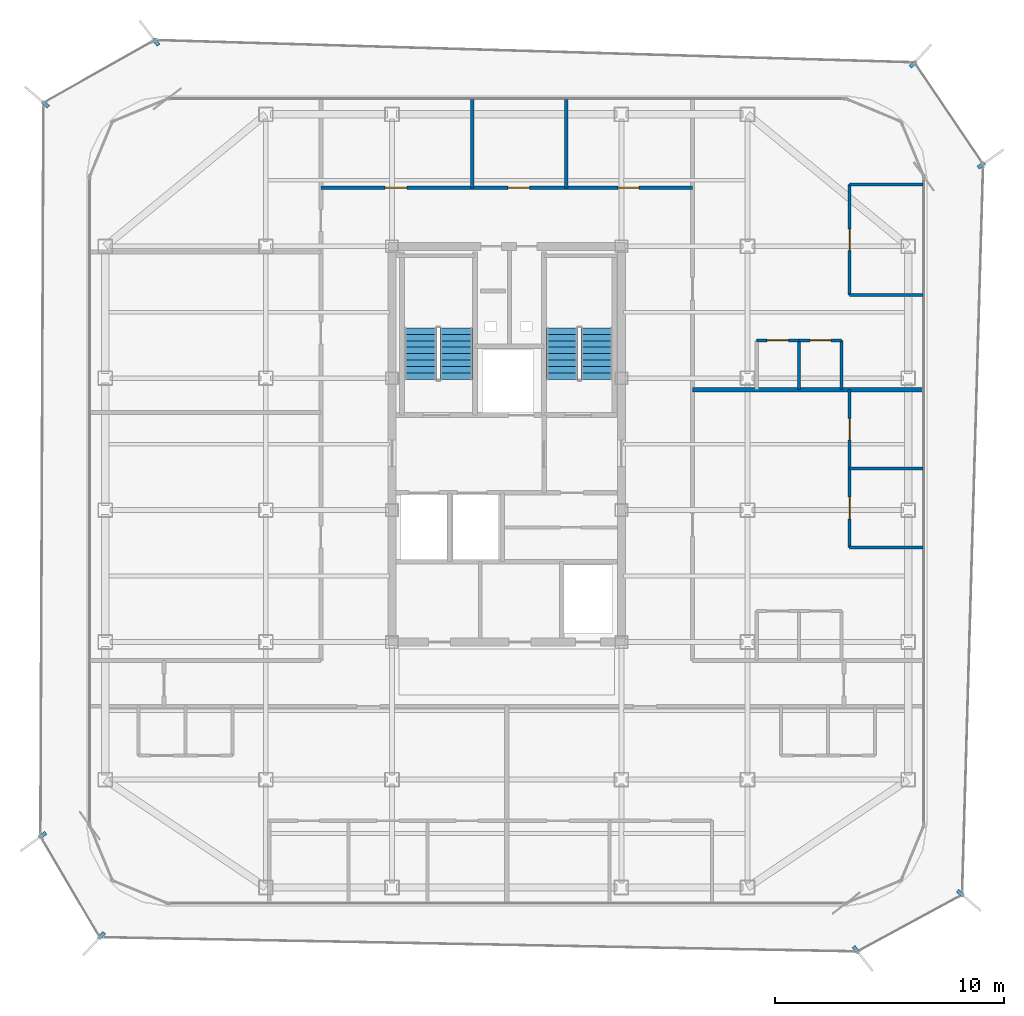
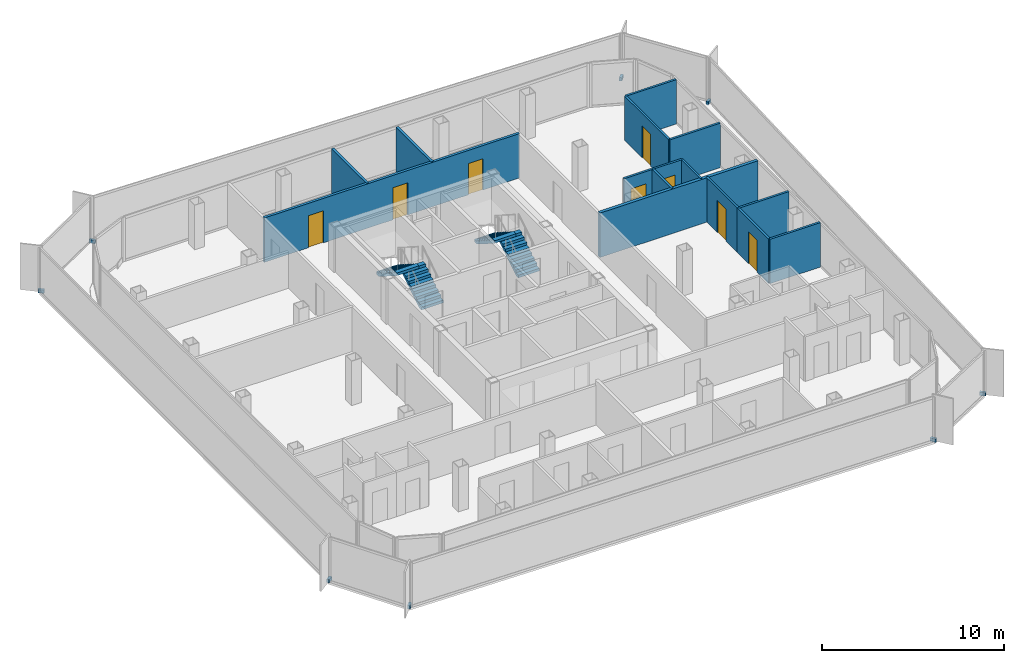
# One storey, part 12 of 15: 15 walls, 8 discrete accessories, 8 doors, 4 stair flights, 8 openings, 2 elements without a shape of their own.
"""IFC4 building model written with IfcOpenShell, lengths in metres."""

from ifc_helpers import new_model, si_unit, direction, frame, frame_2d, origin, origin_2d, place, context, subcontext, project, spatial, polyline, rectangle, outline, extrude, source, transform, mapped, material, layer, layer_set, type_object, element, fill, aggregate, save


model = new_model("IFC4")

# Units and contexts
model_context = context("Model", 3, precision=1e-05, world=origin(), true_north=direction((0.0, 1.0)))
body_context = subcontext(model_context, "Body", "Model", "MODEL_VIEW")
ifc_project = project(units=[si_unit("LENGTHUNIT", "METRE"), si_unit("AREAUNIT", "SQUARE_METRE"), si_unit("VOLUMEUNIT", "CUBIC_METRE"), si_unit("PLANEANGLEUNIT", "RADIAN"), si_unit("MASSUNIT", "GRAM", prefix="KILO")], contexts=[model_context])

# Site, building, storey
site_placement = place(None, origin())
site = spatial("IfcSite", under=ifc_project, at=site_placement, CompositionType="ELEMENT")
building_placement = place(site_placement, origin())
building = spatial("IfcBuilding", under=site, at=building_placement, Name="Kolveth Station Tower", CompositionType="ELEMENT")
storey_placement = place(building_placement, frame((0.0, 0.0, 242.5)))
storey = spatial("IfcBuildingStorey", under=building, at=storey_placement, Name="L69", CompositionType="ELEMENT", Elevation=242.5)

# Wall
ifc_material_1 = material(Name="Moisture-resistant gypsum partition")
ifc_layer_1 = layer(ifc_material_1, 0.135009765625)
ifc_layer_set_1 = layer_set([ifc_layer_1], Name="Moisture-resistant gypsum partition")
wall_type_1 = type_object("IfcWallType", Name="Wall_IW-135", PredefinedType="PARTITIONING", material=ifc_layer_set_1)
wall_1_placement = place(storey_placement, frame((38.449951171875, 15.6240234375, 0.0), z_axis=(0.0, 0.0, 1.0), x_axis=(1.0, 0.0, 0.0)))
element("IfcWall", 1, at=wall_1_placement, inside=storey, type_object=wall_type_1, Name="L69 Partition Wall WL-L69-E1-BDH0", PredefinedType="PARTITIONING", context=body_context, shape_type="SweptSolid", body=[
    extrude(rectangle(XDim=3.18994140625, YDim=0.135009765625, at=frame_2d((1.594970703125, 0.0))), origin(), (0.0, 0.0, 1.0), 2.97998046875),
])

# Wall, opening, door
wall_2_placement = place(storey_placement, frame((38.449951171875, 15.6240234375, 0.0), z_axis=(0.0, 0.0, 1.0), x_axis=(0.0, 1.0, 0.0)))
wall_2 = element("IfcWall", 2, at=wall_2_placement, inside=storey, type_object=wall_type_1, Name="L69 Partition Wall WL-L69-E1-BDV1", PredefinedType="PARTITIONING", context=body_context, shape_type="SweptSolid", body=[
    extrude(rectangle(XDim=3.43798828125, YDim=0.135009765625, at=frame_2d((1.718994140625, 0.0))), origin(), (0.0, 0.0, 1.0), 2.97998046875),
])
opening_1_placement = place(wall_2_placement, frame((1.239013671875, 0.0, 0.0)))
opening_1 = element("IfcOpeningElement", 3, at=opening_1_placement, cuts=wall_2, Name="Opening ID1", PredefinedType="OPENING", context=body_context, shape_type="SweptSolid", body=[
    extrude(rectangle(XDim=0.949951171875, YDim=2.14990234375, at=frame_2d((0.47509765625, 1.074951171875))), frame((0.0, 0.077392578125, 0.0), z_axis=(0.0, -1.0, 0.0), x_axis=(1.0, 0.0, 0.0)), (0.0, 0.0, 1.0), 0.155029296875),
])
ifc_material_2 = material(Name="Acoustic hardwood leaf and aluminium frame", Category="wood")
door_type_1 = type_object("IfcDoorType", Name="Door_ID1", OperationType="NOTDEFINED", PredefinedType="DOOR", material=ifc_material_2)
door_1_placement = place(opening_1_placement, frame((0.949951171875, 0.0, 0.0), z_axis=(0.0, 0.0, 1.0), x_axis=(-1.0, 0.0, 0.0)))
door_1 = element("IfcDoor", 4, at=door_1_placement, inside=storey, type_object=door_type_1, Name="Penthouse Flat L69-E1 Bedroom 1 Door", OperationType="SINGLE_SWING_LEFT", OverallHeight=2.14990234375, OverallWidth=0.949951171875, PredefinedType="DOOR", context=body_context, shape_type="SweptSolid", body=[
    extrude(rectangle(XDim=0.949951171875, YDim=2.14990234375, at=frame_2d((0.47509765625, 1.074951171875))), frame((0.0, 0.02490234375, 0.0), z_axis=(0.0, -1.0, 0.0), x_axis=(1.0, 0.0, 0.0)), (0.0, 0.0, 1.0), 0.050048828125),
])
fill(opening_1, door_1)

wall_3_placement = place(storey_placement, frame((38.449951171875, 19.06201171875, 0.0), z_axis=(0.0, 0.0, 1.0), x_axis=(0.0, 1.0, 0.0)))
wall_3 = element("IfcWall", 5, at=wall_3_placement, inside=storey, type_object=wall_type_1, Name="L69 Partition Wall WL-L69-E1-BDV2", PredefinedType="PARTITIONING", context=body_context, shape_type="SweptSolid", body=[
    extrude(rectangle(XDim=3.43798828125, YDim=0.135009765625, at=frame_2d((1.718994140625, 0.0))), origin(), (0.0, 0.0, 1.0), 2.97998046875),
])
opening_2_placement = place(wall_3_placement, frame((1.239013671875, 0.0, 0.0)))
opening_2 = element("IfcOpeningElement", 6, at=opening_2_placement, cuts=wall_3, Name="Opening ID1", PredefinedType="OPENING", context=body_context, shape_type="SweptSolid", body=[
    extrude(rectangle(XDim=0.949951171875, YDim=2.14990234375, at=frame_2d((0.47509765625, 1.074951171875))), frame((0.0, 0.077392578125, 0.0), z_axis=(0.0, -1.0, 0.0), x_axis=(1.0, 0.0, 0.0)), (0.0, 0.0, 1.0), 0.155029296875),
])
door_2_placement = place(opening_2_placement, frame((0.949951171875, 0.0, 0.0), z_axis=(0.0, 0.0, 1.0), x_axis=(-1.0, 0.0, 0.0)))
door_2 = element("IfcDoor", 7, at=door_2_placement, inside=storey, type_object=door_type_1, Name="Penthouse Flat L69-E1 Bedroom 2 Door", OperationType="SINGLE_SWING_RIGHT", OverallHeight=2.14990234375, OverallWidth=0.949951171875, PredefinedType="DOOR", context=body_context, shape_type="SweptSolid", body=[
    extrude(rectangle(XDim=0.949951171875, YDim=2.14990234375, at=frame_2d((0.47509765625, 1.074951171875))), frame((0.0, 0.02490234375, 0.0), z_axis=(0.0, -1.0, 0.0), x_axis=(1.0, 0.0, 0.0)), (0.0, 0.0, 1.0), 0.050048828125),
])
fill(opening_2, door_2)

# Wall
wall_4_placement = place(storey_placement, frame((38.449951171875, 19.06201171875, 0.0), z_axis=(0.0, 0.0, 1.0), x_axis=(1.0, 0.0, 0.0)))
element("IfcWall", 8, at=wall_4_placement, inside=storey, type_object=wall_type_1, Name="L69 Partition Wall WL-L69-E1-BDH1", PredefinedType="PARTITIONING", context=body_context, shape_type="SweptSolid", body=[
    extrude(rectangle(XDim=3.18994140625, YDim=0.135009765625, at=frame_2d((1.594970703125, 0.0))), origin(), (0.0, 0.0, 1.0), 2.97998046875),
])

# Wall, opening, door
wall_5_placement = place(storey_placement, frame((34.39990234375, 24.64990234375, 0.0), z_axis=(0.0, 0.0, 1.0), x_axis=(1.0, 0.0, 0.0)))
wall_5 = element("IfcWall", 9, at=wall_5_placement, inside=storey, type_object=wall_type_1, Name="L69 Partition Wall WL-L69-E2-IBHK", PredefinedType="PARTITIONING", context=body_context, shape_type="SweptSolid", body=[
    extrude(rectangle(XDim=1.85009765625, YDim=0.135009765625, at=frame_2d((0.925048828125, 0.0))), origin(), (0.0, 0.0, 1.0), 2.97998046875),
])
opening_3_placement = place(wall_5_placement, frame((0.445068359375, 0.0, 0.0)))
opening_3 = element("IfcOpeningElement", 10, at=opening_3_placement, cuts=wall_5, Name="Opening ID1", PredefinedType="OPENING", context=body_context, shape_type="SweptSolid", body=[
    extrude(rectangle(XDim=0.949951171875, YDim=2.14990234375, at=frame_2d((0.47509765625, 1.074951171875))), frame((0.0, 0.077392578125, 0.0), z_axis=(0.0, -1.0, 0.0), x_axis=(1.0, 0.0, 0.0)), (0.0, 0.0, 1.0), 0.155029296875),
])
door_3_placement = place(opening_3_placement, origin())
door_3 = element("IfcDoor", 11, at=door_3_placement, inside=storey, type_object=door_type_1, Name="Penthouse Flat L69-E2 Kitchen Door", OperationType="SINGLE_SWING_RIGHT", OverallHeight=2.14990234375, OverallWidth=0.949951171875, PredefinedType="DOOR", context=body_context, shape_type="SweptSolid", body=[
    extrude(rectangle(XDim=0.949951171875, YDim=2.14990234375, at=frame_2d((0.47509765625, 1.074951171875))), frame((0.0, 0.02490234375, 0.0), z_axis=(0.0, -1.0, 0.0), x_axis=(1.0, 0.0, 0.0)), (0.0, 0.0, 1.0), 0.050048828125),
])
fill(opening_3, door_3)

wall_6_placement = place(storey_placement, frame((36.25, 24.64990234375, 0.0), z_axis=(0.0, 0.0, 1.0), x_axis=(1.0, 0.0, 0.0)))
wall_6 = element("IfcWall", 12, at=wall_6_placement, inside=storey, type_object=wall_type_1, Name="L69 Partition Wall WL-L69-E2-IBHB", PredefinedType="PARTITIONING", context=body_context, shape_type="SweptSolid", body=[
    extrude(rectangle(XDim=1.85009765625, YDim=0.135009765625, at=frame_2d((0.925048828125, 0.0))), origin(), (0.0, 0.0, 1.0), 2.97998046875),
])
opening_4_placement = place(wall_6_placement, frame((0.465087890625, 0.0, 0.0)))
opening_4 = element("IfcOpeningElement", 13, at=opening_4_placement, cuts=wall_6, Name="Opening ID2", PredefinedType="OPENING", context=body_context, shape_type="SweptSolid", body=[
    extrude(rectangle(XDim=0.919921875, YDim=2.10009765625, at=frame_2d((0.4599609375, 1.050048828125))), frame((0.0, 0.077392578125, 0.0), z_axis=(0.0, -1.0, 0.0), x_axis=(1.0, 0.0, 0.0)), (0.0, 0.0, 1.0), 0.155029296875),
])
ifc_material_3 = material(Name="Moisture-resistant hardwood leaf", Category="wood")
door_type_2 = type_object("IfcDoorType", Name="Door_ID2", OperationType="NOTDEFINED", PredefinedType="DOOR", material=ifc_material_3)
door_4_placement = place(opening_4_placement, origin())
door_4 = element("IfcDoor", 14, at=door_4_placement, inside=storey, type_object=door_type_2, Name="Penthouse Flat L69-E2 Bathroom Door", OperationType="SINGLE_SWING_LEFT", OverallHeight=2.10009765625, OverallWidth=0.919921875, PredefinedType="DOOR", context=body_context, shape_type="SweptSolid", body=[
    extrude(rectangle(XDim=0.919921875, YDim=2.10009765625, at=frame_2d((0.4599609375, 1.050048828125))), frame((0.0, 0.02490234375, 0.0), z_axis=(0.0, -1.0, 0.0), x_axis=(1.0, 0.0, 0.0)), (0.0, 0.0, 1.0), 0.050048828125),
])
fill(opening_4, door_4)

# Walls
for number, where, z_axis, x_axis, name in (
    (15, (36.25, 22.5, 0.0), (0.0, 0.0, 1.0), (0.0, 1.0, 0.0), "L69 Partition Wall WL-L69-E2-IBV1"),
    (16, (38.10009765625, 22.5, 0.0), (0.0, 0.0, 1.0), (0.0, 1.0, 0.0), "L69 Partition Wall WL-L69-E2-IBV2"),
):
    element("IfcWall", number, at=place(storey_placement, frame(where, z_axis=z_axis, x_axis=x_axis)), inside=storey, type_object=wall_type_1, Name=name, PredefinedType="PARTITIONING", context=body_context, shape_type="SweptSolid", body=[
        extrude(rectangle(XDim=2.14990234375, YDim=0.135009765625, at=frame_2d((1.074951171875, 0.0))), origin(), (0.0, 0.0, 1.0), 2.97998046875),
    ])
for number, where, z_axis, x_axis, name in (
    (17, (38.449951171875, 26.6259765625, 0.0), (0.0, 0.0, 1.0), (1.0, 0.0, 0.0), "L69 Partition Wall WL-L69-E2-BDH0"),
    (18, (38.449951171875, 31.449951171875, 0.0), (0.0, 0.0, 1.0), (1.0, 0.0, 0.0), "L69 Partition Wall WL-L69-E2-BDHE"),
):
    element("IfcWall", number, at=place(storey_placement, frame(where, z_axis=z_axis, x_axis=x_axis)), inside=storey, type_object=wall_type_1, Name=name, PredefinedType="PARTITIONING", context=body_context, shape_type="SweptSolid", body=[
        extrude(rectangle(XDim=3.18994140625, YDim=0.135009765625, at=frame_2d((1.594970703125, 0.0))), origin(), (0.0, 0.0, 1.0), 2.97998046875),
    ])

# Wall, opening, door
wall_7_placement = place(storey_placement, frame((38.449951171875, 26.6259765625, 0.0), z_axis=(0.0, 0.0, 1.0), x_axis=(0.0, 1.0, 0.0)))
wall_7 = element("IfcWall", 19, at=wall_7_placement, inside=storey, type_object=wall_type_1, Name="L69 Partition Wall WL-L69-E2-BDV1", PredefinedType="PARTITIONING", context=body_context, shape_type="SweptSolid", body=[
    extrude(rectangle(XDim=4.823974609375, YDim=0.135009765625, at=frame_2d((2.412109375, 0.0))), origin(), (0.0, 0.0, 1.0), 2.97998046875),
])
opening_5_placement = place(wall_7_placement, frame((1.931884765625, 0.0, 0.0)))
opening_5 = element("IfcOpeningElement", 20, at=opening_5_placement, cuts=wall_7, Name="Opening ID1", PredefinedType="OPENING", context=body_context, shape_type="SweptSolid", body=[
    extrude(rectangle(XDim=0.949951171875, YDim=2.14990234375, at=frame_2d((0.47509765625, 1.074951171875))), frame((0.0, 0.077392578125, 0.0), z_axis=(0.0, -1.0, 0.0), x_axis=(1.0, 0.0, 0.0)), (0.0, 0.0, 1.0), 0.155029296875),
])
door_5_placement = place(opening_5_placement, frame((0.949951171875, 0.0, 0.0), z_axis=(0.0, 0.0, 1.0), x_axis=(-1.0, 0.0, 0.0)))
door_5 = element("IfcDoor", 21, at=door_5_placement, inside=storey, type_object=door_type_1, Name="Penthouse Flat L69-E2 Bedroom 1 Door", OperationType="SINGLE_SWING_RIGHT", OverallHeight=2.14990234375, OverallWidth=0.949951171875, PredefinedType="DOOR", context=body_context, shape_type="SweptSolid", body=[
    extrude(rectangle(XDim=0.949951171875, YDim=2.14990234375, at=frame_2d((0.47509765625, 1.074951171875))), frame((0.0, 0.02490234375, 0.0), z_axis=(0.0, -1.0, 0.0), x_axis=(1.0, 0.0, 0.0)), (0.0, 0.0, 1.0), 0.050048828125),
])
fill(opening_5, door_5)

# Wall, openings, doors
ifc_material_4 = material(Name="Acoustic double-stud gypsum partition")
ifc_layer_2 = layer(ifc_material_4, 0.1650390625)
ifc_layer_set_2 = layer_set([ifc_layer_2], Name="Acoustic double-stud gypsum partition")
wall_type_2 = type_object("IfcWallType", Name="Wall_IW-165", PredefinedType="PARTITIONING", material=ifc_layer_set_2)
wall_8_placement = place(storey_placement, frame((15.39990234375, 31.300048828125, 0.0), z_axis=(0.0, 0.0, 1.0), x_axis=(1.0, 0.0, 0.0)))
wall_8 = element("IfcWall", 22, at=wall_8_placement, inside=storey, type_object=wall_type_2, Name="L69 Partition Wall WL-L69-RN", PredefinedType="PARTITIONING", context=body_context, shape_type="SweptSolid", body=[
    extrude(rectangle(XDim=16.2001953125, YDim=0.1650390625, at=frame_2d((8.10009765625, 0.0))), origin(), (0.0, 0.0, 1.0), 2.97998046875),
])
opening_6_placement = place(wall_8_placement, frame((2.800048828125, 0.0, 0.0)))
opening_6 = element("IfcOpeningElement", 23, at=opening_6_placement, cuts=wall_8, Name="Opening ID1", PredefinedType="OPENING", context=body_context, shape_type="SweptSolid", body=[
    extrude(rectangle(XDim=0.949951171875, YDim=2.14990234375, at=frame_2d((0.47509765625, 1.074951171875))), frame((0.0, 0.092529296875, 0.0), z_axis=(0.0, -1.0, 0.0), x_axis=(1.0, 0.0, 0.0)), (0.0, 0.0, 1.0), 0.18505859375),
])
opening_7_placement = place(wall_8_placement, frame((8.14990234375, 0.0, 0.0)))
opening_7 = element("IfcOpeningElement", 24, at=opening_7_placement, cuts=wall_8, Name="Opening ID1", PredefinedType="OPENING", context=body_context, shape_type="SweptSolid", body=[
    extrude(rectangle(XDim=0.949951171875, YDim=2.14990234375, at=frame_2d((0.47509765625, 1.074951171875))), frame((0.0, 0.092529296875, 0.0), z_axis=(0.0, -1.0, 0.0), x_axis=(1.0, 0.0, 0.0)), (0.0, 0.0, 1.0), 0.18505859375),
])
opening_8_placement = place(wall_8_placement, frame((12.949951171875, 0.0, 0.0)))
opening_8 = element("IfcOpeningElement", 25, at=opening_8_placement, cuts=wall_8, Name="Opening ID2", PredefinedType="OPENING", context=body_context, shape_type="SweptSolid", body=[
    extrude(rectangle(XDim=0.919921875, YDim=2.10009765625, at=frame_2d((0.4599609375, 1.050048828125))), frame((0.0, 0.092529296875, 0.0), z_axis=(0.0, -1.0, 0.0), x_axis=(1.0, 0.0, 0.0)), (0.0, 0.0, 1.0), 0.18505859375),
])
door_6_placement = place(opening_6_placement, origin())
door_6 = element("IfcDoor", 26, at=door_6_placement, inside=storey, type_object=door_type_1, Name="L69 Residents' Study Lounge Door", OperationType="SINGLE_SWING_LEFT", OverallHeight=2.14990234375, OverallWidth=0.949951171875, PredefinedType="DOOR", context=body_context, shape_type="SweptSolid", body=[
    extrude(rectangle(XDim=0.949951171875, YDim=2.14990234375, at=frame_2d((0.47509765625, 1.074951171875))), frame((0.0, 0.02490234375, 0.0), z_axis=(0.0, -1.0, 0.0), x_axis=(1.0, 0.0, 0.0)), (0.0, 0.0, 1.0), 0.050048828125),
])
fill(opening_6, door_6)
door_7_placement = place(opening_7_placement, origin())
door_7 = element("IfcDoor", 27, at=door_7_placement, inside=storey, type_object=door_type_1, Name="L69 Residents' Linen Store Door", OperationType="SINGLE_SWING_LEFT", OverallHeight=2.14990234375, OverallWidth=0.949951171875, PredefinedType="DOOR", context=body_context, shape_type="SweptSolid", body=[
    extrude(rectangle(XDim=0.949951171875, YDim=2.14990234375, at=frame_2d((0.47509765625, 1.074951171875))), frame((0.0, 0.02490234375, 0.0), z_axis=(0.0, -1.0, 0.0), x_axis=(1.0, 0.0, 0.0)), (0.0, 0.0, 1.0), 0.050048828125),
])
fill(opening_7, door_7)
door_8_placement = place(opening_8_placement, origin())
door_8 = element("IfcDoor", 28, at=door_8_placement, inside=storey, type_object=door_type_2, Name="L69 Accessible Residents' WC Door", OperationType="SINGLE_SWING_RIGHT", OverallHeight=2.10009765625, OverallWidth=0.919921875, PredefinedType="DOOR", context=body_context, shape_type="SweptSolid", body=[
    extrude(rectangle(XDim=0.919921875, YDim=2.10009765625, at=frame_2d((0.4599609375, 1.050048828125))), frame((0.0, 0.02490234375, 0.0), z_axis=(0.0, -1.0, 0.0), x_axis=(1.0, 0.0, 0.0)), (0.0, 0.0, 1.0), 0.050048828125),
])
fill(opening_8, door_8)

# Walls
for number, where, z_axis, x_axis, name in (
    (29, (22.0, 31.300048828125, 0.0), (0.0, 0.0, 1.0), (0.0, 1.0, 0.0), "L69 Partition Wall WL-L69-RN-P1"),
    (30, (26.10009765625, 31.300048828125, 0.0), (0.0, 0.0, 1.0), (0.0, 1.0, 0.0), "L69 Partition Wall WL-L69-RN-P2"),
):
    element("IfcWall", number, at=place(storey_placement, frame(where, z_axis=z_axis, x_axis=x_axis)), inside=storey, type_object=wall_type_2, Name=name, PredefinedType="PARTITIONING", context=body_context, shape_type="SweptSolid", body=[
        extrude(rectangle(XDim=3.83984375, YDim=0.1650390625, at=frame_2d((1.919921875, 0.0))), origin(), (0.0, 0.0, 1.0), 2.97998046875),
    ])
ifc_material_5 = material(Name="Acoustic fire-rated gypsum blockwork", Category="masonry")
ifc_layer_3 = layer(ifc_material_5, 0.199951171875)
ifc_layer_set_3 = layer_set([ifc_layer_3], Name="Acoustic fire-rated gypsum blockwork")
wall_type_3 = type_object("IfcWallType", Name="Wall_IW-200", PredefinedType="PARTITIONING", material=ifc_layer_set_3)
wall_9_placement = place(storey_placement, frame((31.60009765625, 22.5, 0.0), z_axis=(0.0, 0.0, 1.0), x_axis=(1.0, 0.0, 0.0)))
element("IfcWall", 31, at=wall_9_placement, inside=storey, type_object=wall_type_3, Name="L69 Partition Wall WL-L69-REU-1", PredefinedType="PARTITIONING", context=body_context, shape_type="SweptSolid", body=[
    extrude(rectangle(XDim=10.039794921875, YDim=0.199951171875, at=frame_2d((5.02001953125, 0.0))), origin(), (0.0, 0.0, 1.0), 2.97998046875),
])

# Stair, stair flights
ifc_material_6 = material(Name="Concrete C40/50", Category="concrete")
stair_type_1 = type_object("IfcStairType", Name="Stair_ST1", PredefinedType="HALF_TURN_STAIR", material=ifc_material_6)
stair_1_placement = place(storey_placement, origin())
stair_1 = element("IfcStair", 32, at=stair_1_placement, inside=storey, type_object=stair_type_1, Name="L69 Tower Exit Stair ST1", PredefinedType="HALF_TURN_STAIR")
ifc_layer_4 = layer(ifc_material_6, 0.179931640625)
ifc_layer_set_4 = layer_set([ifc_layer_4], Name="Concrete C40/50")
stair_flight_type_1 = type_object("IfcStairFlightType", Name="Flight_ST1", PredefinedType="STRAIGHT", material=ifc_layer_set_4)
stair_flight_1_placement = place(storey_placement, frame((21.300048828125, 22.949951171875, 0.0), z_axis=(0.0, 0.0, 1.0), x_axis=(0.0, 1.0, 0.0)))
stair_flight_1 = element("IfcStairFlight", 33, at=stair_flight_1_placement, type_object=stair_flight_type_1, Name="ST1 flight 1", NumberOfRisers=9, NumberOfTreads=8, PredefinedType="STRAIGHT", RiserHeight=0.177777778, TreadLength=0.28, context=body_context, shape_type="SweptSolid", body=[
    extrude(outline(polyline([(0.0, 0.0), (0.0, 0.177734375), (0.280029296875, 0.177734375), (0.280029296875, 0.35546875), (0.56005859375, 0.35546875), (0.56005859375, 0.533447265625), (0.840087890625, 0.533447265625), (0.840087890625, 0.711181640625), (1.1201171875, 0.711181640625), (1.1201171875, 0.888916015625), (1.39990234375, 0.888916015625), (1.39990234375, 1.066650390625), (1.679931640625, 1.066650390625), (1.679931640625, 1.244384765625), (1.9599609375, 1.244384765625), (1.9599609375, 1.422119140625), (2.239990234375, 1.422119140625), (2.239990234375, 1.60009765625), (2.239990234375, 1.24462890625), (0.27978515625, 0.0), (0.0, 0.0)])), frame((0.0, 0.699951171875, 0.0), z_axis=(0.0, -1.0, 0.0), x_axis=(1.0, 0.0, 0.0)), (0.0, 0.0, 1.0), 1.39990234375),
])
stair_flight_2_placement = place(storey_placement, frame((19.739990234375, 25.18994140625, 1.60009765625), z_axis=(0.0, 0.0, 1.0), x_axis=(0.0, -1.0, 0.0)))
stair_flight_2 = element("IfcStairFlight", 34, at=stair_flight_2_placement, type_object=stair_flight_type_1, Name="ST1 flight 2", NumberOfRisers=9, NumberOfTreads=8, PredefinedType="STRAIGHT", RiserHeight=0.177777778, TreadLength=0.28, context=body_context, shape_type="SweptSolid", body=[
    extrude(outline(polyline([(0.0, 0.0), (0.0, 0.177734375), (0.280029296875, 0.177734375), (0.280029296875, 0.35546875), (0.56005859375, 0.35546875), (0.56005859375, 0.533447265625), (0.840087890625, 0.533447265625), (0.840087890625, 0.711181640625), (1.1201171875, 0.711181640625), (1.1201171875, 0.888916015625), (1.39990234375, 0.888916015625), (1.39990234375, 1.066650390625), (1.679931640625, 1.066650390625), (1.679931640625, 1.244384765625), (1.9599609375, 1.244384765625), (1.9599609375, 1.422119140625), (2.239990234375, 1.422119140625), (2.239990234375, 1.60009765625), (2.239990234375, 1.24462890625), (0.27978515625, 0.0), (0.0, 0.0)])), frame((0.0, 0.699951171875, 0.0), z_axis=(0.0, -1.0, 0.0), x_axis=(1.0, 0.0, 0.0)), (0.0, 0.0, 1.0), 1.39990234375),
])
aggregate(stair_1, [stair_flight_1, stair_flight_2])

stair_type_2 = type_object("IfcStairType", Name="Stair_ST2", PredefinedType="HALF_TURN_STAIR", material=ifc_material_6)
stair_2_placement = place(storey_placement, origin())
stair_2 = element("IfcStair", 35, at=stair_2_placement, inside=storey, type_object=stair_type_2, Name="L69 Tower Exit Stair ST2", PredefinedType="HALF_TURN_STAIR")
ifc_layer_5 = layer(ifc_material_6, 0.179931640625)
ifc_layer_set_5 = layer_set([ifc_layer_5], Name="Concrete C40/50")
stair_flight_type_2 = type_object("IfcStairFlightType", Name="Flight_ST2", PredefinedType="STRAIGHT", material=ifc_layer_set_5)
stair_flight_3_placement = place(storey_placement, frame((27.425048828125, 22.949951171875, 0.0), z_axis=(0.0, 0.0, 1.0), x_axis=(0.0, 1.0, 0.0)))
stair_flight_3 = element("IfcStairFlight", 36, at=stair_flight_3_placement, type_object=stair_flight_type_2, Name="ST2 flight 1", NumberOfRisers=9, NumberOfTreads=8, PredefinedType="STRAIGHT", RiserHeight=0.177777778, TreadLength=0.28, context=body_context, shape_type="SweptSolid", body=[
    extrude(outline(polyline([(0.0, 0.0), (0.0, 0.177734375), (0.280029296875, 0.177734375), (0.280029296875, 0.35546875), (0.56005859375, 0.35546875), (0.56005859375, 0.533447265625), (0.840087890625, 0.533447265625), (0.840087890625, 0.711181640625), (1.1201171875, 0.711181640625), (1.1201171875, 0.888916015625), (1.39990234375, 0.888916015625), (1.39990234375, 1.066650390625), (1.679931640625, 1.066650390625), (1.679931640625, 1.244384765625), (1.9599609375, 1.244384765625), (1.9599609375, 1.422119140625), (2.239990234375, 1.422119140625), (2.239990234375, 1.60009765625), (2.239990234375, 1.24462890625), (0.27978515625, 0.0), (0.0, 0.0)])), frame((0.0, 0.675048828125, 0.0), z_axis=(0.0, -1.0, 0.0), x_axis=(1.0, 0.0, 0.0)), (0.0, 0.0, 1.0), 1.35009765625),
])
stair_flight_4_placement = place(storey_placement, frame((25.9150390625, 25.18994140625, 1.60009765625), z_axis=(0.0, 0.0, 1.0), x_axis=(0.0, -1.0, 0.0)))
stair_flight_4 = element("IfcStairFlight", 37, at=stair_flight_4_placement, type_object=stair_flight_type_2, Name="ST2 flight 2", NumberOfRisers=9, NumberOfTreads=8, PredefinedType="STRAIGHT", RiserHeight=0.177777778, TreadLength=0.28, context=body_context, shape_type="SweptSolid", body=[
    extrude(outline(polyline([(0.0, 0.0), (0.0, 0.177734375), (0.280029296875, 0.177734375), (0.280029296875, 0.35546875), (0.56005859375, 0.35546875), (0.56005859375, 0.533447265625), (0.840087890625, 0.533447265625), (0.840087890625, 0.711181640625), (1.1201171875, 0.711181640625), (1.1201171875, 0.888916015625), (1.39990234375, 0.888916015625), (1.39990234375, 1.066650390625), (1.679931640625, 1.066650390625), (1.679931640625, 1.244384765625), (1.9599609375, 1.244384765625), (1.9599609375, 1.422119140625), (2.239990234375, 1.422119140625), (2.239990234375, 1.60009765625), (2.239990234375, 1.24462890625), (0.27978515625, 0.0), (0.0, 0.0)])), frame((0.0, 0.675048828125, 0.0), z_axis=(0.0, -1.0, 0.0), x_axis=(1.0, 0.0, 0.0)), (0.0, 0.0, 1.0), 1.35009765625),
])
aggregate(stair_2, [stair_flight_3, stair_flight_4])

# Discrete accessories
ifc_material_7 = material(Name="Steel S355", Category="steel")
discrete_accessory_type = type_object("IfcDiscreteAccessoryType", Name="Bracket_BK1", PredefinedType="BRACKET", material=ifc_material_7)
shared_shape = source(origin(), body_context, "Body", "SweptSolid", [
    extrude(rectangle(XDim=0.35009765625, YDim=0.159912109375, at=origin_2d()), origin(), (0.0, 0.0, 1.0), 0.219970703125),
])
for number, where, z_axis, x_axis, name in (
    (38, (38.73095703125, -1.9140625, -0.06005859375), (0.0, 0.0, 1.0), (0.614285200099, -0.789084084835, 0.0), "L69 Double-Skin Radial Tie Bracket 1"),
    (39, (43.281982421875, 0.547119140625, -0.06005859375), (0.0, 0.0, 1.0), (0.756538697576, -0.653948926958, 0.0), "L69 Double-Skin Radial Tie Bracket 2"),
    (40, (44.194091796875, 32.280029296875, -0.06005859375), (0.0, 0.0, 1.0), (0.816540811886, 0.577287712086, 0.0), "L69 Double-Skin Radial Tie Bracket 3"),
    (41, (41.212890625, 36.68896484375, -0.06005859375), (0.0, 0.0, 1.0), (0.681104334195, 0.732186373775, 0.0), "L69 Double-Skin Radial Tie Bracket 4"),
    (42, (8.214111328125, 37.654052734375, -0.06005859375), (0.0, 0.0, 1.0), (-0.60709849971, 0.794626586297, 0.0), "L69 Double-Skin Radial Tie Bracket 5"),
    (43, (3.388916015625, 34.94091796875, -0.06005859375), (0.0, 0.0, 1.0), (-0.758248137292, 0.651966074496, 0.0), "L69 Double-Skin Radial Tie Bracket 6"),
    (44, (3.264892578125, 3.077880859375, -0.06005859375), (0.0, 0.0, 1.0), (-0.811471998801, -0.584391303119, 0.0), "L69 Double-Skin Radial Tie Bracket 7"),
    (45, (5.837890625, -1.299072265625, -0.06005859375), (0.0, 0.0, 1.0), (-0.681870704375, -0.731472721648, 0.0), "L69 Double-Skin Radial Tie Bracket 8"),
):
    element("IfcDiscreteAccessory", number, at=place(storey_placement, frame(where, z_axis=z_axis, x_axis=x_axis)), inside=storey, type_object=discrete_accessory_type, Name=name, PredefinedType="BRACKET", context=body_context, shape_type="MappedRepresentation", body=[
        mapped(shared_shape, transform((0.0, 0.0, 0.0), x_axis=(1.0, 0.0, 0.0), y_axis=(0.0, 1.0, 0.0), z_axis=(0.0, 0.0, 1.0), scale=1.0)),
    ])

save(model, "model.ifc")
